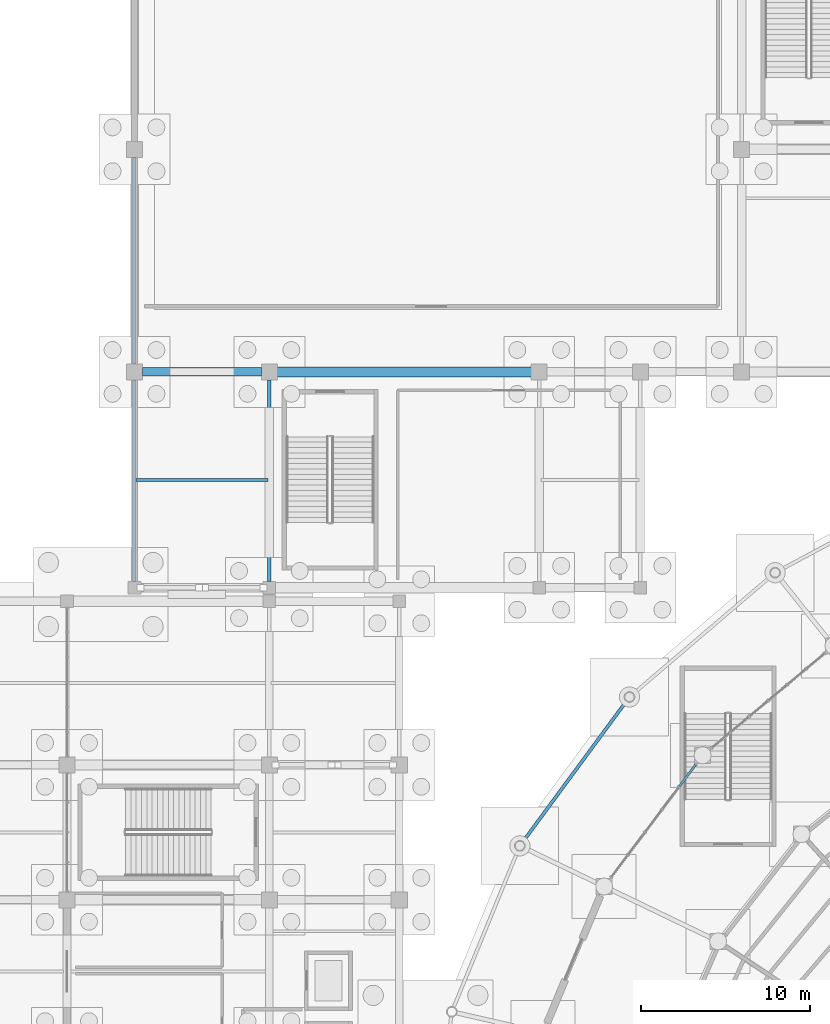
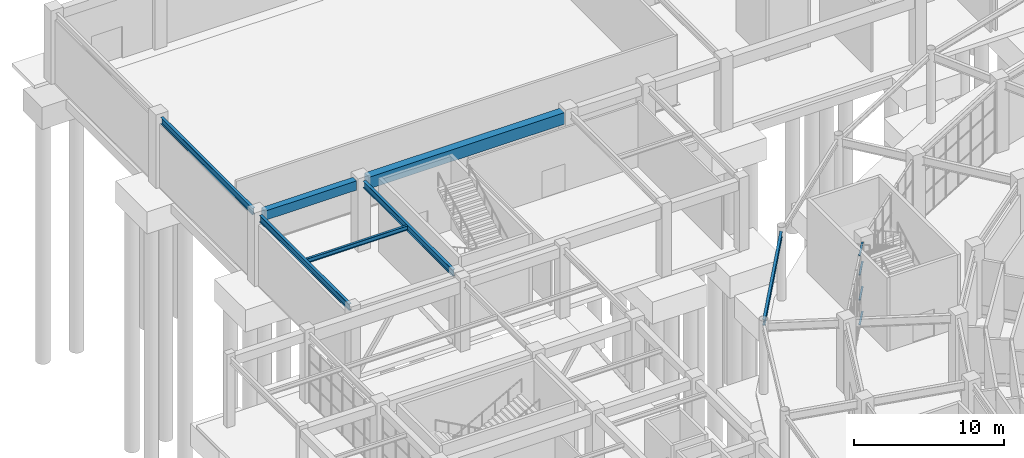
# One storey, part 42 of 121: 7 beams, 4 members, 1 element without a shape of its own.
"""IFC4 building model written with IfcOpenShell, lengths in metres."""

from ifc_helpers import new_model, si_unit, direction, frame, origin, origin_2d, place, context, subcontext, project, spatial, rectangle, i_section, extrude, material, material_profile, profile_set, type_object, element, aggregate, save


model = new_model("IFC4")

# Units and contexts
model_context = context("Model", 3, precision=1e-05, world=origin(), true_north=direction((0.0, 1.0)))
body_context = subcontext(model_context, "Body", "Model", "MODEL_VIEW")
ifc_project = project(units=[si_unit("LENGTHUNIT", "METRE"), si_unit("AREAUNIT", "SQUARE_METRE"), si_unit("VOLUMEUNIT", "CUBIC_METRE"), si_unit("PLANEANGLEUNIT", "RADIAN"), si_unit("MASSUNIT", "GRAM", prefix="KILO")], contexts=[model_context])

# Site, building, storey
site_placement = place(None, origin())
site = spatial("IfcSite", under=ifc_project, at=site_placement, CompositionType="ELEMENT")
building_placement = place(site_placement, origin())
building = spatial("IfcBuilding", under=site, at=building_placement, Name="Cuetzalor Civic Arena", CompositionType="ELEMENT")
storey_placement = place(building_placement, origin())
storey = spatial("IfcBuildingStorey", under=building, at=storey_placement, Name="L00", CompositionType="ELEMENT", Elevation=0.0)

# Beams
ifc_material_1 = material(Name="Concrete C40/50", Category="concrete")
ifc_material_profile_1 = material_profile(ifc_material_1, rectangle(XDim=0.5, YDim=0.75, at=origin_2d()), Name="RC 500x750")
ifc_profile_set_1 = profile_set([ifc_material_profile_1], Name="Concrete C40/50")
beam_type_1 = type_object("IfcBeamType", Name="ConcreteFrameBeam_500x750", PredefinedType="BEAM", material=ifc_profile_set_1)
beam_1_placement = place(storey_placement, frame((-71.534912109375, 48.300048828125, 5.324951171875), z_axis=(1.0, 0.0, 0.0), x_axis=(0.0, 1.0, 0.0)))
element("IfcBeam", 1, at=beam_1_placement, inside=storey, type_object=beam_type_1, Name="Frame Girder V5-L00-X0219", PredefinedType="BEAM", context=body_context, shape_type="SweptSolid", body=[
    extrude(rectangle(XDim=0.5, YDim=0.75, at=origin_2d()), origin(), (0.0, 0.0, 1.0), 7.06982421875),
])
ifc_material_2 = material(Name="Concrete C40/50", Category="concrete")
ifc_material_profile_2 = material_profile(ifc_material_2, rectangle(XDim=0.60009765625, YDim=0.949951171875, at=origin_2d()), Name="RC 600x950")
ifc_profile_set_2 = profile_set([ifc_material_profile_2], Name="Concrete C40/50")
beam_type_2 = type_object("IfcBeamType", Name="ConcreteFrameBeam_600x950", PredefinedType="BEAM", material=ifc_profile_set_2)
beam_2_placement = place(storey_placement, frame((-63.534912109375, 48.300048828125, 5.22509765625), z_axis=(1.0, 0.0, 0.0), x_axis=(0.0, 1.0, 0.0)))
element("IfcBeam", 2, at=beam_2_placement, inside=storey, type_object=beam_type_2, Name="Frame Girder V5-L00-X0220", PredefinedType="BEAM", context=body_context, shape_type="SweptSolid", body=[
    extrude(rectangle(XDim=0.60009765625, YDim=0.949951171875, at=origin_2d()), origin(), (0.0, 0.0, 1.0), 15.06982421875),
])

# Curtain wall, members
ifc_material_3 = material(Name="Anodised dark bronze aluminium and low-E solar glass", Category="aluminium")
curtain_wall_type = type_object("IfcCurtainWallType", Name="UnitisedCW_8450x5700", PredefinedType="USERDEFINED", material=ifc_material_3)
curtain_wall_placement = place(storey_placement, origin())
curtain_wall = element("IfcCurtainWall", 3, at=curtain_wall_placement, inside=storey, type_object=curtain_wall_type, Name="Drum Ground Recessed Concourse Curtain Wall L00-009", ObjectType="UNITISED CURTAIN WALL", PredefinedType="USERDEFINED")
ifc_material_4 = material(Name="Anodised dark bronze aluminium", Category="aluminium")
ifc_material_profile_3 = material_profile(ifc_material_4, rectangle(XDim=0.139892578125, YDim=0.070068359375, at=origin_2d()), Name="ALU TRANSOM 70x140")
ifc_profile_set_3 = profile_set([ifc_material_profile_3], Name="Anodised dark bronze aluminium")
member_type = type_object("IfcMemberType", Name="CurtainWallTransom_65x140", PredefinedType="USERDEFINED", material=ifc_profile_set_3)
member_1_placement = place(storey_placement, frame((-39.689453125, 23.725830078125, 0.034912109375), z_axis=(0.600518840652, 0.799610606496, 0.0), x_axis=(-0.799610606496, 0.600518840652, 0.0)))
member_1 = element("IfcMember", 4, at=member_1_placement, type_object=member_type, Name="CW-02 transom 5.1", ObjectType="TRANSOM", PredefinedType="USERDEFINED", context=body_context, shape_type="SweptSolid", body=[
    extrude(rectangle(XDim=0.139892578125, YDim=0.070068359375, at=origin_2d()), origin(), (0.0, 0.0, 1.0), 1.58056640625),
])
member_2_placement = place(storey_placement, frame((-39.689453125, 23.725830078125, 2.052001953125), z_axis=(0.600518840652, 0.799610606496, 0.0), x_axis=(-0.799610606496, 0.600518840652, 0.0)))
member_2 = element("IfcMember", 5, at=member_2_placement, type_object=member_type, Name="CW-02 transom 5.2", ObjectType="TRANSOM", PredefinedType="USERDEFINED", context=body_context, shape_type="SweptSolid", body=[
    extrude(rectangle(XDim=0.139892578125, YDim=0.070068359375, at=origin_2d()), origin(), (0.0, 0.0, 1.0), 1.58056640625),
])
member_3_placement = place(storey_placement, frame((-39.689453125, 23.725830078125, 4.10400390625), z_axis=(0.600518840652, 0.799610606496, 0.0), x_axis=(-0.799610606496, 0.600518840652, 0.0)))
member_3 = element("IfcMember", 6, at=member_3_placement, type_object=member_type, Name="CW-02 transom 5.3", ObjectType="TRANSOM", PredefinedType="USERDEFINED", context=body_context, shape_type="SweptSolid", body=[
    extrude(rectangle(XDim=0.139892578125, YDim=0.070068359375, at=origin_2d()), origin(), (0.0, 0.0, 1.0), 1.58056640625),
])
member_4_placement = place(storey_placement, frame((-39.689453125, 23.725830078125, 5.6650390625), z_axis=(0.600518840652, 0.799610606496, 0.0), x_axis=(-0.799610606496, 0.600518840652, 0.0)))
member_4 = element("IfcMember", 7, at=member_4_placement, type_object=member_type, Name="CW-02 transom 5.4", ObjectType="TRANSOM", PredefinedType="USERDEFINED", context=body_context, shape_type="SweptSolid", body=[
    extrude(rectangle(XDim=0.139892578125, YDim=0.070068359375, at=origin_2d()), origin(), (0.0, 0.0, 1.0), 1.58056640625),
])
aggregate(curtain_wall, [member_1, member_2, member_3, member_4])

# Beams
ifc_material_5 = material(Name="Steel S355", Category="steel")
ifc_material_profile_4 = material_profile(ifc_material_5, i_section(OverallWidth=0.18994140625, OverallDepth=0.45703125, WebThickness=0.009033203125, FlangeThickness=0.014404296875, at=origin_2d()), Name="W460x74")
ifc_profile_set_4 = profile_set([ifc_material_profile_4], Name="Steel S355")
beam_type_3 = type_object("IfcBeamType", Name="FacadeSpandrelBeam_W460", PredefinedType="SPANDREL", material=ifc_profile_set_4)
beam_3_placement = place(storey_placement, frame((-42.82080078125, 28.7900390625, 5.471435546875), z_axis=(-0.592928645702, -0.805255003776, 0.0), x_axis=(0.805255003776, -0.592928645702, 0.0)))
element("IfcBeam", 8, at=beam_3_placement, inside=storey, type_object=beam_type_3, Name="Drum Perimeter Spandrel L00-S12", PredefinedType="SPANDREL", context=body_context, shape_type="SweptSolid", body=[
    extrude(i_section(OverallWidth=0.18994140625, OverallDepth=0.45703125, WebThickness=0.009033203125, FlangeThickness=0.014404296875, at=origin_2d()), origin(), (0.0, 0.0, 1.0), 10.380615234375),
])
ifc_material_6 = material(Name="Steel S355", Category="steel")
ifc_material_profile_5 = material_profile(ifc_material_6, i_section(OverallWidth=0.1708984375, OverallDepth=0.35498046875, WebThickness=0.007080078125, FlangeThickness=0.01171875, at=origin_2d()), Name="W360x51")
ifc_profile_set_5 = profile_set([ifc_material_profile_5], Name="Steel S355")
beam_type_4 = type_object("IfcBeamType", Name="SecondaryFloorJoist_W360", PredefinedType="JOIST", material=ifc_profile_set_5)
beam_4_placement = place(storey_placement, frame((-71.903564453125, 41.89990234375, 5.5224609375), z_axis=(1.0, 0.0, 0.0), x_axis=(0.0, 1.0, 0.0)))
element("IfcBeam", 9, at=beam_4_placement, inside=storey, type_object=beam_type_4, Name="Secondary Floor Joist V5-L00-0071", PredefinedType="JOIST", context=body_context, shape_type="SweptSolid", body=[
    extrude(i_section(OverallWidth=0.1708984375, OverallDepth=0.35498046875, WebThickness=0.007080078125, FlangeThickness=0.01171875, at=origin_2d()), origin(), (0.0, 0.0, 1.0), 7.80712890625),
])
ifc_material_7 = material(Name="Steel S355", Category="steel")
ifc_material_profile_6 = material_profile(ifc_material_7, i_section(OverallWidth=0.208984375, OverallDepth=0.532958984375, WebThickness=0.01025390625, FlangeThickness=0.015625, at=origin_2d()), Name="W530x92")
ifc_profile_set_6 = profile_set([ifc_material_profile_6], Name="Steel S355")
beam_type_5 = type_object("IfcBeamType", Name="SteelCollarGirder_W530", PredefinedType="BEAM", material=ifc_profile_set_6)
beam_5_placement = place(storey_placement, frame((-72.0, 35.864990234375, 5.43359375), z_axis=(0.0, 1.0, 0.0), x_axis=(-1.0, 0.0, 0.0)))
element("IfcBeam", 10, at=beam_5_placement, inside=storey, type_object=beam_type_5, Name="Frame Girder V5-L00-Y0257", PredefinedType="BEAM", context=body_context, shape_type="SweptSolid", body=[
    extrude(i_section(OverallWidth=0.208984375, OverallDepth=0.532958984375, WebThickness=0.01025390625, FlangeThickness=0.015625, at=origin_2d()), origin(), (0.0, 0.0, 1.0), 11.969970703125),
])
beam_6_placement = place(storey_placement, frame((-72.0, 48.764892578125, 5.43359375), z_axis=(0.0, 1.0, 0.0), x_axis=(-1.0, 0.0, 0.0)))
element("IfcBeam", 11, at=beam_6_placement, inside=storey, type_object=beam_type_5, Name="Frame Girder V5-L00-Y0258", PredefinedType="BEAM", context=body_context, shape_type="SweptSolid", body=[
    extrude(i_section(OverallWidth=0.208984375, OverallDepth=0.532958984375, WebThickness=0.01025390625, FlangeThickness=0.015625, at=origin_2d()), origin(), (0.0, 0.0, 1.0), 12.27001953125),
])
beam_7_placement = place(storey_placement, frame((-64.0, 35.864990234375, 5.43359375), z_axis=(0.0, 1.0, 0.0), x_axis=(-1.0, 0.0, 0.0)))
element("IfcBeam", 12, at=beam_7_placement, inside=storey, type_object=beam_type_5, Name="Frame Girder V5-L00-Y0260", PredefinedType="BEAM", context=body_context, shape_type="SweptSolid", body=[
    extrude(i_section(OverallWidth=0.208984375, OverallDepth=0.532958984375, WebThickness=0.01025390625, FlangeThickness=0.015625, at=origin_2d()), origin(), (0.0, 0.0, 1.0), 11.969970703125),
])

save(model, "model.ifc")
